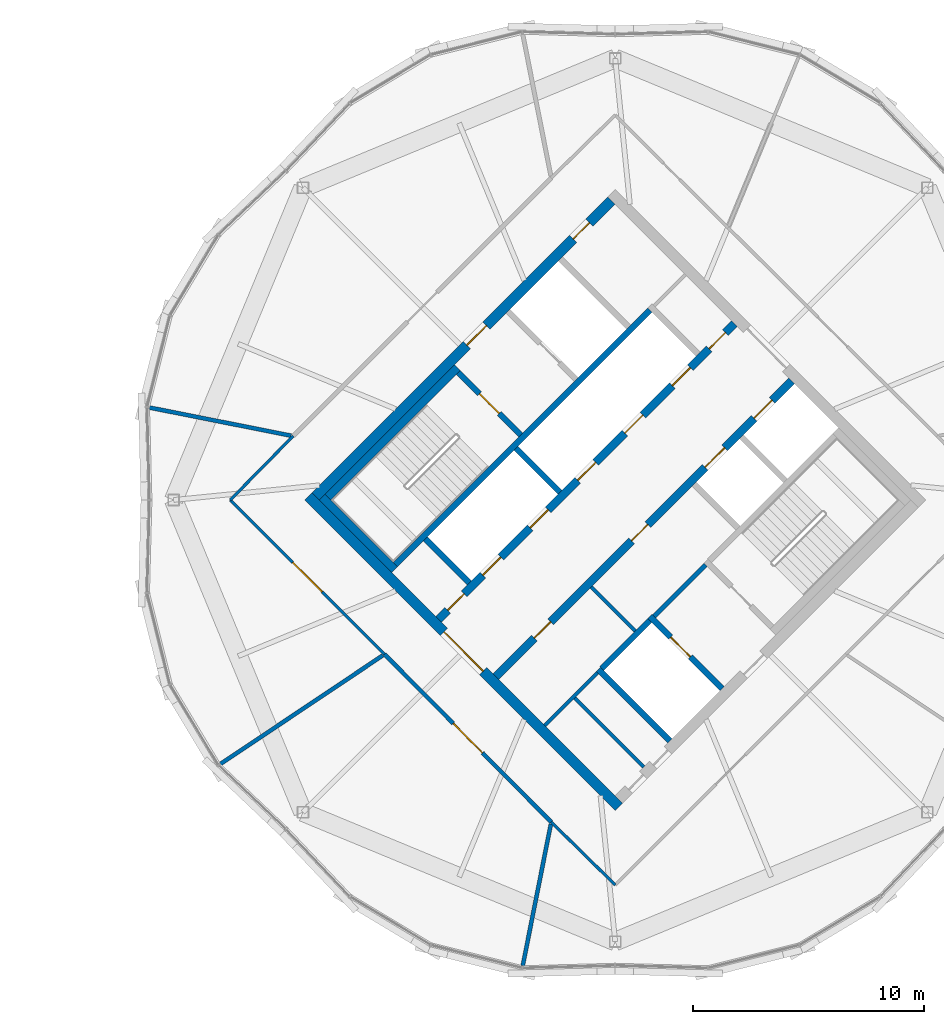
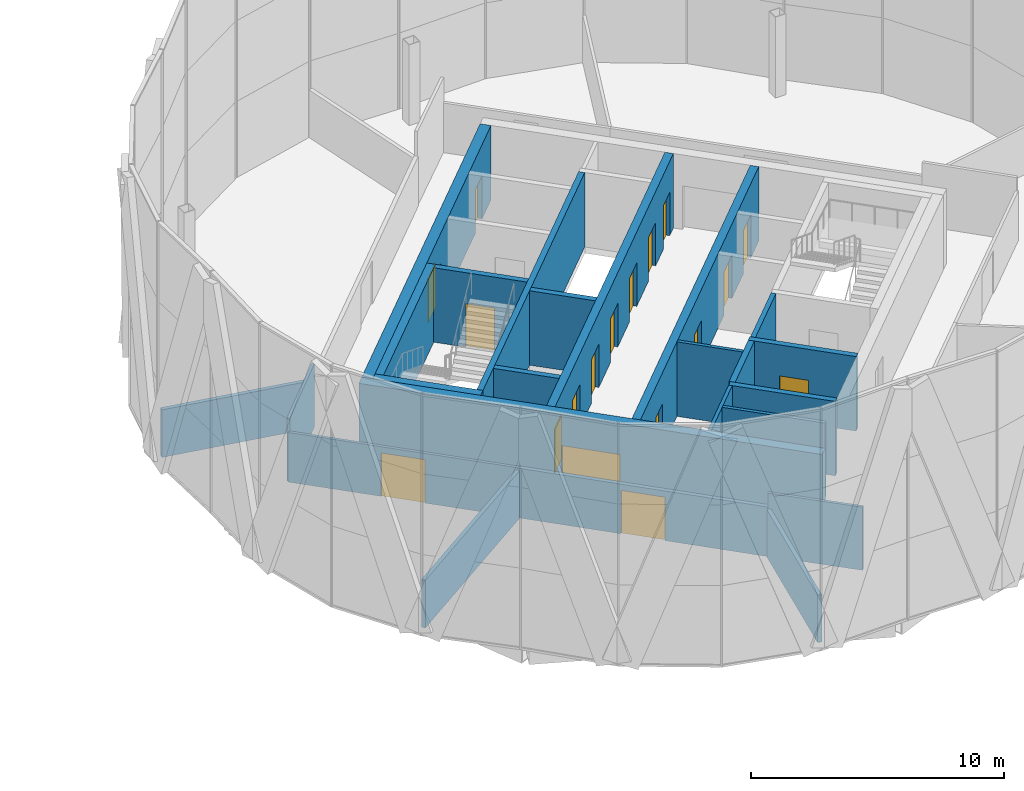
# One storey, part 18 of 22: 24 walls, 18 doors, 18 openings.
"""IFC4 building model written with IfcOpenShell, lengths in metres."""

from ifc_helpers import new_model, si_unit, direction, frame, frame_2d, origin, place, context, subcontext, project, spatial, rectangle, extrude, material, layer, layer_set, type_object, element, fill, save


model = new_model("IFC4")

# Units and contexts
model_context = context("Model", 3, precision=1e-05, world=origin(), true_north=direction((0.0, 1.0)))
body_context = subcontext(model_context, "Body", "Model", "MODEL_VIEW")
ifc_project = project(units=[si_unit("LENGTHUNIT", "METRE"), si_unit("AREAUNIT", "SQUARE_METRE"), si_unit("VOLUMEUNIT", "CUBIC_METRE"), si_unit("PLANEANGLEUNIT", "RADIAN"), si_unit("MASSUNIT", "GRAM", prefix="KILO")], contexts=[model_context])

# Site, building, storey
site_placement = place(None, origin())
site = spatial("IfcSite", under=ifc_project, at=site_placement, CompositionType="ELEMENT")
building_placement = place(site_placement, origin())
building = spatial("IfcBuilding", under=site, at=building_placement, Name="Ogive Gate Towers", CompositionType="ELEMENT")
storey_placement = place(building_placement, frame((0.0, 0.0, 228.89990234375)))
storey = spatial("IfcBuildingStorey", under=building, at=storey_placement, Name="L54", CompositionType="ELEMENT", Elevation=228.89990234375)

# Walls
ifc_material_1 = material(Name="Gypsum board acoustic partition")
ifc_layer_1 = layer(ifc_material_1, 0.175048828125)
ifc_layer_set_1 = layer_set([ifc_layer_1], Name="Acoustic partition 175")
wall_type_1 = type_object("IfcWallType", Name="Acoustic partition 175", PredefinedType="PARTITIONING", material=ifc_layer_set_1)
wall_1_placement = place(storey_placement, frame((15.843505859375, 4.00048828125, 0.0), z_axis=(0.0, 0.0, 1.0), x_axis=(0.98086799922, -0.194674004702, 0.0)))
element("IfcWall", 1, at=wall_1_placement, inside=storey, type_object=wall_type_1, Name="Partition T2-L54-004", PredefinedType="PARTITIONING", context=body_context, shape_type="SweptSolid", body=[
    extrude(rectangle(XDim=6.251708984375, YDim=0.175048828125, at=frame_2d((3.1259765625, 0.0))), origin(), (0.0, 0.0, 1.0), 2.300048828125),
])
wall_2_placement = place(storey_placement, frame((18.918701171875, -11.424072265625, 0.0), z_axis=(0.0, 0.0, 1.0), x_axis=(0.831218279954, 0.555946194402, 0.0)))
element("IfcWall", 2, at=wall_2_placement, inside=storey, type_object=wall_type_1, Name="Partition T2-L54-005", PredefinedType="PARTITIONING", context=body_context, shape_type="SweptSolid", body=[
    extrude(rectangle(XDim=8.451416015625, YDim=0.175048828125, at=frame_2d((4.2255859375, 0.0))), origin(), (0.0, 0.0, 1.0), 2.300048828125),
])
wall_3_placement = place(storey_placement, frame((31.99951171875, -20.156494140625, 0.0), z_axis=(0.0, 0.0, 1.0), x_axis=(0.194674004702, 0.98086799922, 0.0)))
element("IfcWall", 3, at=wall_3_placement, inside=storey, type_object=wall_type_1, Name="Partition T2-L54-006", PredefinedType="PARTITIONING", context=body_context, shape_type="SweptSolid", body=[
    extrude(rectangle(XDim=6.251708984375, YDim=0.175048828125, at=frame_2d((3.1259765625, 0.0))), origin(), (0.0, 0.0, 1.0), 2.300048828125),
])

# Wall, opening, door
wall_4_placement = place(storey_placement, frame((26.0166015625, -6.677001953125, 0.0), z_axis=(0.0, 0.0, 1.0), x_axis=(0.704921475194, -0.70928535429, 0.0)))
wall_4 = element("IfcWall", 4, at=wall_4_placement, inside=storey, type_object=wall_type_1, Name="Partition T2-L54-010", PredefinedType="PARTITIONING", context=body_context, shape_type="SweptSolid", body=[
    extrude(rectangle(XDim=10.238037109375, YDim=0.175048828125, at=frame_2d((5.119140625, 0.0))), origin(), (0.0, 0.0, 1.0), 2.400146484375),
])
opening_1_placement = place(wall_4_placement, frame((4.218994140625, 0.0, 0.0)))
opening_1 = element("IfcOpeningElement", 5, at=opening_1_placement, cuts=wall_4, Name="Opening T2-L54-D02", PredefinedType="OPENING", context=body_context, shape_type="SweptSolid", body=[
    extrude(rectangle(XDim=1.800048828125, YDim=2.10009765625, at=frame_2d((0.89990234375, 1.050048828125))), frame((0.0, 0.09765625, 0.0), z_axis=(0.0, -1.0, 0.0), x_axis=(1.0, 0.0, 0.0)), (0.0, 0.0, 1.0), 0.195068359375),
])
ifc_material_2 = material(Name="Timber door", Category="wood")
door_type_1 = type_object("IfcDoorType", Name="Door pair 1800", OperationType="NOTDEFINED", PredefinedType="DOOR", material=ifc_material_2)
door_1_placement = place(opening_1_placement, origin())
door_1 = element("IfcDoor", 6, at=door_1_placement, inside=storey, type_object=door_type_1, Name="Door T2-L54-D02", OperationType="DOUBLE_DOOR_DOUBLE_SWING", OverallHeight=2.10009765625, OverallWidth=1.800048828125, PredefinedType="DOOR", context=body_context, shape_type="SweptSolid", body=[
    extrude(rectangle(XDim=1.800048828125, YDim=2.10009765625, at=frame_2d((0.89990234375, 1.050048828125))), frame((0.0, 0.02490234375, 0.0), z_axis=(0.0, -1.0, 0.0), x_axis=(1.0, 0.0, 0.0)), (0.0, 0.0, 1.0), 0.050048828125),
])
fill(opening_1, door_1)

# Wall
ifc_material_3 = material(Name="Masonry blockwork", Category="masonry")
ifc_layer_2 = layer(ifc_material_3, 0.199951171875)
ifc_layer_set_2 = layer_set([ifc_layer_2], Name="Blockwork wall 200 mm")
wall_type_2 = type_object("IfcWallType", Name="Blockwork wall 200 mm", PredefinedType="PARTITIONING", material=ifc_layer_set_2)
wall_5_placement = place(storey_placement, frame((37.679443359375, -5.0380859375, 0.0), z_axis=(0.0, 0.0, 1.0), x_axis=(0.707106781187, 0.707106781187, 0.0)))
element("IfcWall", 7, at=wall_5_placement, inside=storey, type_object=wall_type_2, Name="T2 L54 Blockwork wall 200 mm", PredefinedType="PARTITIONING", context=body_context, shape_type="SweptSolid", body=[
    extrude(rectangle(XDim=3.14990234375, YDim=0.199951171875, at=frame_2d((1.574951171875, 0.0))), origin(), (0.0, 0.0, 1.0), 3.60009765625),
])

# Wall, openings, doors
ifc_material_4 = material(Name="Concrete C60/75", Category="concrete")
ifc_layer_3 = layer(ifc_material_4, 0.449951171875)
ifc_layer_set_3 = layer_set([ifc_layer_3], Name="Core wall 450 mm")
wall_type_3 = type_object("IfcWallType", Name="Core wall 450 mm", PredefinedType="SHEAR", material=ifc_layer_set_3)
wall_6_placement = place(storey_placement, frame((23.042236328125, 0.1591796875, 0.0), z_axis=(0.0, 0.0, 1.0), x_axis=(0.707106781187, 0.707106781187, 0.0)))
wall_6 = element("IfcWall", 8, at=wall_6_placement, inside=storey, type_object=wall_type_3, Name="T2 L54 Core wall 450 mm", PredefinedType="SHEAR", context=body_context, shape_type="SweptSolid", body=[
    extrude(rectangle(XDim=18.099853515625, YDim=0.449951171875, at=frame_2d((9.0498046875, 0.0))), origin(), (0.0, 0.0, 1.0), 3.60009765625),
])
opening_2_placement = place(wall_6_placement, frame((9.25, 0.0, 0.0)))
opening_2 = element("IfcOpeningElement", 9, at=opening_2_placement, cuts=wall_6, Name="Opening KD-T2-L54-18", PredefinedType="OPENING", context=body_context, shape_type="SweptSolid", body=[
    extrude(rectangle(XDim=1.199951171875, YDim=2.10009765625, at=frame_2d((0.60009765625, 1.050048828125))), frame((0.0, 0.23486328125, 0.0), z_axis=(0.0, -1.0, 0.0), x_axis=(1.0, 0.0, 0.0)), (0.0, 0.0, 1.0), 0.469970703125),
])
opening_3_placement = place(wall_6_placement, frame((15.75, 0.0, 0.0)))
opening_3 = element("IfcOpeningElement", 10, at=opening_3_placement, cuts=wall_6, Name="Opening KD-T2-L54-20", PredefinedType="OPENING", context=body_context, shape_type="SweptSolid", body=[
    extrude(rectangle(XDim=1.0, YDim=2.10009765625, at=frame_2d((0.5, 1.050048828125))), frame((0.0, 0.23486328125, 0.0), z_axis=(0.0, -1.0, 0.0), x_axis=(1.0, 0.0, 0.0)), (0.0, 0.0, 1.0), 0.469970703125),
])
door_type_2 = type_object("IfcDoorType", Name="Accessible WC door 1000 x 2100", OperationType="NOTDEFINED", PredefinedType="DOOR", material=ifc_material_2)
door_2_placement = place(opening_3_placement, origin())
door_2 = element("IfcDoor", 11, at=door_2_placement, inside=storey, type_object=door_type_2, Name="T2 L54 Core door", OperationType="SINGLE_SWING_LEFT", OverallHeight=2.10009765625, OverallWidth=1.0, PredefinedType="DOOR", context=body_context, shape_type="SweptSolid", body=[
    extrude(rectangle(XDim=1.0, YDim=2.10009765625, at=frame_2d((0.5, 1.050048828125))), frame((0.0, 0.02490234375, 0.0), z_axis=(0.0, -1.0, 0.0), x_axis=(1.0, 0.0, 0.0)), (0.0, 0.0, 1.0), 0.050048828125),
])
fill(opening_3, door_2)
ifc_material_5 = material(Name="Steel fire door", Category="steel")
door_type_3 = type_object("IfcDoorType", Name="Core door FD60S 1200 x 2100", OperationType="NOTDEFINED", PredefinedType="DOOR", material=ifc_material_5)
door_3_placement = place(opening_2_placement, origin())
door_3 = element("IfcDoor", 12, at=door_3_placement, inside=storey, type_object=door_type_3, Name="T2 L54 Fire-fighting lobby door", OperationType="SINGLE_SWING_LEFT", OverallHeight=2.10009765625, OverallWidth=1.199951171875, PredefinedType="DOOR", context=body_context, shape_type="SweptSolid", body=[
    extrude(rectangle(XDim=1.199951171875, YDim=2.10009765625, at=frame_2d((0.60009765625, 1.050048828125))), frame((0.0, 0.02490234375, 0.0), z_axis=(0.0, -1.0, 0.0), x_axis=(1.0, 0.0, 0.0)), (0.0, 0.0, 1.0), 0.050048828125),
])
fill(opening_2, door_3)

# Wall, opening, door
wall_7_placement = place(storey_placement, frame((36.1591796875, -13.27587890625, 0.0), z_axis=(0.0, 0.0, 1.0), x_axis=(-0.707106781187, 0.707106781187, 0.0)))
wall_7 = element("IfcWall", 13, at=wall_7_placement, inside=storey, type_object=wall_type_3, Name="T2 L54 Core wall 450 mm", PredefinedType="SHEAR", context=body_context, shape_type="SweptSolid", body=[
    extrude(rectangle(XDim=19.0, YDim=0.449951171875, at=frame_2d((9.5, 0.0))), origin(), (0.0, 0.0, 1.0), 3.60009765625),
])
opening_4_placement = place(wall_7_placement, frame((8.300048828125, 0.0, 0.0)))
opening_4 = element("IfcOpeningElement", 14, at=opening_4_placement, cuts=wall_7, Name="Opening KD-T2-L54-01", PredefinedType="OPENING", context=body_context, shape_type="SweptSolid", body=[
    extrude(rectangle(XDim=2.39990234375, YDim=2.10009765625, at=frame_2d((1.199951171875, 1.050048828125))), frame((0.0, 0.23486328125, 0.0), z_axis=(0.0, -1.0, 0.0), x_axis=(1.0, 0.0, 0.0)), (0.0, 0.0, 1.0), 0.469970703125),
])
door_type_4 = type_object("IfcDoorType", Name="Core double door FD60S 2400 x 2100", OperationType="DOUBLE_DOOR_SINGLE_SWING", PredefinedType="DOOR", material=ifc_material_5)
door_4_placement = place(opening_4_placement, origin())
door_4 = element("IfcDoor", 15, at=door_4_placement, inside=storey, type_object=door_type_4, Name="T2 L54 Core door double", OperationType="DOUBLE_DOOR_SINGLE_SWING", OverallHeight=2.10009765625, OverallWidth=2.39990234375, PredefinedType="DOOR", context=body_context, shape_type="SweptSolid", body=[
    extrude(rectangle(XDim=2.39990234375, YDim=2.10009765625, at=frame_2d((1.199951171875, 1.050048828125))), frame((0.0, 0.02490234375, 0.0), z_axis=(0.0, -1.0, 0.0), x_axis=(1.0, 0.0, 0.0)), (0.0, 0.0, 1.0), 0.050048828125),
])
fill(opening_4, door_4)

ifc_material_6 = material(Name="Gypsum board partition")
ifc_layer_4 = layer(ifc_material_6, 0.125)
ifc_layer_set_4 = layer_set([ifc_layer_4], Name="Partition 125")
wall_type_4 = type_object("IfcWallType", Name="Partition 125", PredefinedType="PARTITIONING", material=ifc_layer_set_4)
wall_8_placement = place(storey_placement, frame((19.340576171875, 0.0, 0.0), z_axis=(0.0, 0.0, 1.0), x_axis=(0.707055065632, -0.707158492959, 0.0)))
wall_8 = element("IfcWall", 16, at=wall_8_placement, inside=storey, type_object=wall_type_4, Name="Partition T2-L54-008", PredefinedType="PARTITIONING", context=body_context, shape_type="SweptSolid", body=[
    extrude(rectangle(XDim=9.44189453125, YDim=0.125, at=frame_2d((4.720947265625, 0.0))), origin(), (0.0, 0.0, 1.0), 2.400146484375),
])
opening_5_placement = place(wall_8_placement, frame((3.821044921875, 0.0, 0.0)))
opening_5 = element("IfcOpeningElement", 17, at=opening_5_placement, cuts=wall_8, Name="Opening T2-L54-D01", PredefinedType="OPENING", context=body_context, shape_type="SweptSolid", body=[
    extrude(rectangle(XDim=1.800048828125, YDim=2.10009765625, at=frame_2d((0.89990234375, 1.050048828125))), frame((0.0, 0.072509765625, 0.0), z_axis=(0.0, -1.0, 0.0), x_axis=(1.0, 0.0, 0.0)), (0.0, 0.0, 1.0), 0.14501953125),
])
door_5_placement = place(opening_5_placement, origin())
door_5 = element("IfcDoor", 18, at=door_5_placement, inside=storey, type_object=door_type_1, Name="Door T2-L54-D01", OperationType="DOUBLE_DOOR_DOUBLE_SWING", OverallHeight=2.10009765625, OverallWidth=1.800048828125, PredefinedType="DOOR", context=body_context, shape_type="SweptSolid", body=[
    extrude(rectangle(XDim=1.800048828125, YDim=2.10009765625, at=frame_2d((0.89990234375, 1.050048828125))), frame((0.0, 0.02490234375, 0.0), z_axis=(0.0, -1.0, 0.0), x_axis=(1.0, 0.0, 0.0)), (0.0, 0.0, 1.0), 0.050048828125),
])
fill(opening_5, door_5)

# Walls
for number, where, z_axis, x_axis, name in (
    (19, (22.061279296875, 2.766357421875, 0.0), (0.0, 0.0, 1.0), (-0.701199130072, -0.712965483026, 0.0), "Partition T2-L54-009"),
    (20, (33.233642578125, -13.938720703125, 0.0), (0.0, 0.0, 1.0), (0.712965483026, -0.701199130072, 0.0), "Partition T2-L54-012"),
):
    element("IfcWall", number, at=place(storey_placement, frame(where, z_axis=z_axis, x_axis=x_axis)), inside=storey, type_object=wall_type_4, Name=name, PredefinedType="PARTITIONING", context=body_context, shape_type="SweptSolid", body=[
        extrude(rectangle(XDim=3.880126953125, YDim=0.125, at=frame_2d((1.93994140625, 0.0))), origin(), (0.0, 0.0, 1.0), 3.050048828125),
    ])
ifc_layer_5 = layer(ifc_material_6, 0.14990234375)
ifc_layer_set_5 = layer_set([ifc_layer_5], Name="Room partition 150 mm")
wall_type_5 = type_object("IfcWallType", Name="Room partition 150 mm", PredefinedType="PARTITIONING", material=ifc_layer_set_5)
wall_9_placement = place(storey_placement, frame((32.95947265625, -9.758056640625, 0.0), z_axis=(0.0, 0.0, 1.0), x_axis=(0.707144631829, 0.707068928518, 0.0)))
element("IfcWall", 21, at=wall_9_placement, inside=storey, type_object=wall_type_5, Name="T2 L54 Room partition 150 mm", PredefinedType="PARTITIONING", context=body_context, shape_type="SweptSolid", body=[
    extrude(rectangle(XDim=3.224853515625, YDim=0.14990234375, at=frame_2d((1.6123046875, 0.0))), origin(), (0.0, 0.0, 1.0), 3.60009765625),
])
wall_10_placement = place(storey_placement, frame((37.2373046875, -11.561279296875, 0.0), z_axis=(0.0, 0.0, 1.0), x_axis=(-0.707077887253, 0.707135673939, 0.0)))
element("IfcWall", 22, at=wall_10_placement, inside=storey, type_object=wall_type_5, Name="T2 L54 Room partition 150 mm", PredefinedType="PARTITIONING", context=body_context, shape_type="SweptSolid", body=[
    extrude(rectangle(XDim=4.224853515625, YDim=0.14990234375, at=frame_2d((2.1123046875, 0.0))), origin(), (0.0, 0.0, 1.0), 3.60009765625),
])
wall_11_placement = place(storey_placement, frame((36.8662109375, -5.674560546875, 0.0), z_axis=(0.0, 0.0, 1.0), x_axis=(-0.707106781187, 0.707106781187, 0.0)))
element("IfcWall", 23, at=wall_11_placement, inside=storey, type_object=wall_type_5, Name="T2 L54 Room partition 150 mm", PredefinedType="PARTITIONING", context=body_context, shape_type="SweptSolid", body=[
    extrude(rectangle(XDim=2.699951171875, YDim=0.14990234375, at=frame_2d((1.35009765625, 0.0))), origin(), (0.0, 0.0, 1.0), 3.60009765625),
])
ifc_layer_6 = layer(ifc_material_4, 0.25)
ifc_layer_set_6 = layer_set([ifc_layer_6], Name="Shaft wall 250 mm")
wall_type_6 = type_object("IfcWallType", Name="Shaft wall 250 mm", PredefinedType="SHEAR", material=ifc_layer_set_6)
wall_12_placement = place(storey_placement, frame((35.41650390625, -7.30078125, 0.0), z_axis=(0.0, 0.0, 1.0), x_axis=(0.707148157867, 0.707065402085, 0.0)))
element("IfcWall", 24, at=wall_12_placement, inside=storey, type_object=wall_type_6, Name="T2 L54 Shaft wall 250 mm", PredefinedType="SHEAR", context=body_context, shape_type="SweptSolid", body=[
    extrude(rectangle(XDim=2.9501953125, YDim=0.25, at=frame_2d((1.47509765625, 0.0))), origin(), (0.0, 0.0, 1.0), 3.60009765625),
])
wall_13_placement = place(storey_placement, frame((26.489501953125, -2.793212890625, 0.0), z_axis=(0.0, 0.0, 1.0), x_axis=(0.707098943647, 0.70711461864, 0.0)))
element("IfcWall", 25, at=wall_13_placement, inside=storey, type_object=wall_type_6, Name="T2 L54 Shaft wall 250 mm", PredefinedType="SHEAR", context=body_context, shape_type="SweptSolid", body=[
    extrude(rectangle(XDim=15.5751953125, YDim=0.25, at=frame_2d((7.78759765625, 0.0))), origin(), (0.0, 0.0, 1.0), 3.60009765625),
])
wall_14_placement = place(storey_placement, frame((29.689208984375, -3.588623046875, 0.0), z_axis=(0.0, 0.0, 1.0), x_axis=(-0.707151988282, 0.707061571201, 0.0)))
element("IfcWall", 26, at=wall_14_placement, inside=storey, type_object=wall_type_6, Name="T2 L54 Shaft wall 250 mm", PredefinedType="SHEAR", context=body_context, shape_type="SweptSolid", body=[
    extrude(rectangle(XDim=2.7001953125, YDim=0.25, at=frame_2d((1.35009765625, 0.0))), origin(), (0.0, 0.0, 1.0), 3.60009765625),
])
wall_15_placement = place(storey_placement, frame((38.368896484375, -10.4296875, 0.0), z_axis=(0.0, 0.0, 1.0), x_axis=(-0.707134682099, 0.707078879173, 0.0)))
element("IfcWall", 27, at=wall_15_placement, inside=storey, type_object=wall_type_6, Name="T2 L54 Shaft wall 250 mm", PredefinedType="SHEAR", context=body_context, shape_type="SweptSolid", body=[
    extrude(rectangle(XDim=4.375, YDim=0.25, at=frame_2d((2.1875, 0.0))), origin(), (0.0, 0.0, 1.0), 3.60009765625),
])

# Wall, opening, door
wall_16_placement = place(storey_placement, frame((40.631591796875, -8.1669921875, 0.0), z_axis=(0.0, 0.0, 1.0), x_axis=(-0.707106781187, 0.707106781187, 0.0)))
wall_16 = element("IfcWall", 28, at=wall_16_placement, inside=storey, type_object=wall_type_6, Name="T2 L54 Shaft wall 250 mm", PredefinedType="SHEAR", context=body_context, shape_type="SweptSolid", body=[
    extrude(rectangle(XDim=4.425048828125, YDim=0.25, at=frame_2d((2.21240234375, 0.0))), origin(), (0.0, 0.0, 1.0), 3.60009765625),
])
opening_6_placement = place(wall_16_placement, frame((1.949951171875, 0.0, 0.0)))
opening_6 = element("IfcOpeningElement", 29, at=opening_6_placement, cuts=wall_16, Name="Opening LD-T2-L54-13", PredefinedType="OPENING", context=body_context, shape_type="SweptSolid", body=[
    extrude(rectangle(XDim=1.199951171875, YDim=2.10009765625, at=frame_2d((0.60009765625, 1.050048828125))), frame((0.0, 0.135009765625, 0.0), z_axis=(0.0, -1.0, 0.0), x_axis=(1.0, 0.0, 0.0)), (0.0, 0.0, 1.0), 0.27001953125),
])
ifc_material_7 = material(Name="Stainless steel landing door", Category="steel")
door_type_5 = type_object("IfcDoorType", Name="Landing door 1200 x 2100", OperationType="SLIDING_TO_LEFT", PredefinedType="DOOR", material=ifc_material_7)
door_6_placement = place(opening_6_placement, origin())
door_6 = element("IfcDoor", 30, at=door_6_placement, inside=storey, type_object=door_type_5, Name="T2 L54 Lift landing door FF2", OperationType="SLIDING_TO_LEFT", OverallHeight=2.10009765625, OverallWidth=1.199951171875, PredefinedType="DOOR", context=body_context, shape_type="SweptSolid", body=[
    extrude(rectangle(XDim=1.199951171875, YDim=2.10009765625, at=frame_2d((0.60009765625, 1.050048828125))), frame((0.0, 0.02490234375, 0.0), z_axis=(0.0, -1.0, 0.0), x_axis=(1.0, 0.0, 0.0)), (0.0, 0.0, 1.0), 0.050048828125),
])
fill(opening_6, door_6)

# Wall
wall_17_placement = place(storey_placement, frame((33.613525390625, 0.3359375, 0.0), z_axis=(0.0, 0.0, 1.0), x_axis=(-0.707106781187, 0.707106781187, 0.0)))
element("IfcWall", 31, at=wall_17_placement, inside=storey, type_object=wall_type_6, Name="T2 L54 Shaft wall 250 mm", PredefinedType="SHEAR", context=body_context, shape_type="SweptSolid", body=[
    extrude(rectangle(XDim=2.699951171875, YDim=0.25, at=frame_2d((1.35009765625, 0.0))), origin(), (0.0, 0.0, 1.0), 3.60009765625),
])

# Wall, opening, door
wall_18_placement = place(storey_placement, frame((31.91650390625, 2.810791015625, 0.0), z_axis=(0.0, 0.0, 1.0), x_axis=(-0.707106781187, 0.707106781187, 0.0)))
wall_18 = element("IfcWall", 32, at=wall_18_placement, inside=storey, type_object=wall_type_6, Name="T2 L54 Shaft wall 250 mm", PredefinedType="SHEAR", context=body_context, shape_type="SweptSolid", body=[
    extrude(rectangle(XDim=3.824951171875, YDim=0.25, at=frame_2d((1.91259765625, 0.0))), origin(), (0.0, 0.0, 1.0), 3.60009765625),
])
opening_7_placement = place(wall_18_placement, frame((1.324951171875, 0.0, 0.0)))
opening_7 = element("IfcOpeningElement", 33, at=opening_7_placement, cuts=wall_18, Name="Opening KD-T2-L54-16", PredefinedType="OPENING", context=body_context, shape_type="SweptSolid", body=[
    extrude(rectangle(XDim=1.199951171875, YDim=2.10009765625, at=frame_2d((0.60009765625, 1.050048828125))), frame((0.0, 0.135009765625, 0.0), z_axis=(0.0, -1.0, 0.0), x_axis=(1.0, 0.0, 0.0)), (0.0, 0.0, 1.0), 0.27001953125),
])
door_7_placement = place(opening_7_placement, origin())
door_7 = element("IfcDoor", 34, at=door_7_placement, inside=storey, type_object=door_type_3, Name="T2 L54 Stair door", OperationType="SINGLE_SWING_LEFT", OverallHeight=2.10009765625, OverallWidth=1.199951171875, PredefinedType="DOOR", context=body_context, shape_type="SweptSolid", body=[
    extrude(rectangle(XDim=1.199951171875, YDim=2.10009765625, at=frame_2d((0.60009765625, 1.050048828125))), frame((0.0, 0.02490234375, 0.0), z_axis=(0.0, -1.0, 0.0), x_axis=(1.0, 0.0, 0.0)), (0.0, 0.0, 1.0), 0.050048828125),
])
fill(opening_7, door_7)

# Wall, openings, doors
ifc_layer_7 = layer(ifc_material_4, 0.35009765625)
ifc_layer_set_7 = layer_set([ifc_layer_7], Name="Spine wall 350 mm")
wall_type_7 = type_object("IfcWallType", Name="Spine wall 350 mm", PredefinedType="SHEAR", material=ifc_layer_set_7)
wall_19_placement = place(storey_placement, frame((30.838134765625, -7.63671875, 0.0), z_axis=(0.0, 0.0, 1.0), x_axis=(0.707106781187, 0.707106781187, 0.0)))
wall_19 = element("IfcWall", 35, at=wall_19_placement, inside=storey, type_object=wall_type_7, Name="T2 L54 Spine wall 350 mm", PredefinedType="SHEAR", context=body_context, shape_type="SweptSolid", body=[
    extrude(rectangle(XDim=18.099853515625, YDim=0.35009765625, at=frame_2d((9.0498046875, 0.0))), origin(), (0.0, 0.0, 1.0), 3.60009765625),
])
opening_8_placement = place(wall_19_placement, frame((12.800048828125, 0.0, 0.0)))
opening_8 = element("IfcOpeningElement", 36, at=opening_8_placement, cuts=wall_19, Name="Opening LD-T2-L54-10", PredefinedType="OPENING", context=body_context, shape_type="SweptSolid", body=[
    extrude(rectangle(XDim=1.199951171875, YDim=2.10009765625, at=frame_2d((0.60009765625, 1.050048828125))), frame((0.0, 0.18505859375, 0.0), z_axis=(0.0, -1.0, 0.0), x_axis=(1.0, 0.0, 0.0)), (0.0, 0.0, 1.0), 0.3701171875),
])
opening_9_placement = place(wall_19_placement, frame((15.800048828125, 0.0, 0.0)))
opening_9 = element("IfcOpeningElement", 37, at=opening_9_placement, cuts=wall_19, Name="Opening LD-T2-L54-11", PredefinedType="OPENING", context=body_context, shape_type="SweptSolid", body=[
    extrude(rectangle(XDim=1.10009765625, YDim=2.10009765625, at=frame_2d((0.550048828125, 1.050048828125))), frame((0.0, 0.18505859375, 0.0), z_axis=(0.0, -1.0, 0.0), x_axis=(1.0, 0.0, 0.0)), (0.0, 0.0, 1.0), 0.3701171875),
])
opening_10_placement = place(wall_19_placement, frame((2.35009765625, 0.0, 0.0)))
opening_10 = element("IfcOpeningElement", 38, at=opening_10_placement, cuts=wall_19, Name="Opening KD-T2-L54-14", PredefinedType="OPENING", context=body_context, shape_type="SweptSolid", body=[
    extrude(rectangle(XDim=1.0, YDim=2.10009765625, at=frame_2d((0.5, 1.050048828125))), frame((0.0, 0.18505859375, 0.0), z_axis=(0.0, -1.0, 0.0), x_axis=(1.0, 0.0, 0.0)), (0.0, 0.0, 1.0), 0.3701171875),
])
opening_11_placement = place(wall_19_placement, frame((8.300048828125, 0.0, 0.0)))
opening_11 = element("IfcOpeningElement", 39, at=opening_11_placement, cuts=wall_19, Name="Opening KD-T2-L54-15", PredefinedType="OPENING", context=body_context, shape_type="SweptSolid", body=[
    extrude(rectangle(XDim=1.0, YDim=2.10009765625, at=frame_2d((0.5, 1.050048828125))), frame((0.0, 0.18505859375, 0.0), z_axis=(0.0, -1.0, 0.0), x_axis=(1.0, 0.0, 0.0)), (0.0, 0.0, 1.0), 0.3701171875),
])
door_type_6 = type_object("IfcDoorType", Name="Core door FD60S 1000 x 2100", OperationType="NOTDEFINED", PredefinedType="DOOR", material=ifc_material_5)
door_8_placement = place(opening_10_placement, origin())
door_8 = element("IfcDoor", 40, at=door_8_placement, inside=storey, type_object=door_type_6, Name="T2 L54 Core door", OperationType="SINGLE_SWING_LEFT", OverallHeight=2.10009765625, OverallWidth=1.0, PredefinedType="DOOR", context=body_context, shape_type="SweptSolid", body=[
    extrude(rectangle(XDim=1.0, YDim=2.10009765625, at=frame_2d((0.5, 1.050048828125))), frame((0.0, 0.02490234375, 0.0), z_axis=(0.0, -1.0, 0.0), x_axis=(1.0, 0.0, 0.0)), (0.0, 0.0, 1.0), 0.050048828125),
])
fill(opening_10, door_8)
door_9_placement = place(opening_11_placement, origin())
door_9 = element("IfcDoor", 41, at=door_9_placement, inside=storey, type_object=door_type_6, Name="T2 L54 Core door", OperationType="SINGLE_SWING_RIGHT", OverallHeight=2.10009765625, OverallWidth=1.0, PredefinedType="DOOR", context=body_context, shape_type="SweptSolid", body=[
    extrude(rectangle(XDim=1.0, YDim=2.10009765625, at=frame_2d((0.5, 1.050048828125))), frame((0.0, 0.02490234375, 0.0), z_axis=(0.0, -1.0, 0.0), x_axis=(1.0, 0.0, 0.0)), (0.0, 0.0, 1.0), 0.050048828125),
])
fill(opening_11, door_9)
door_type_7 = type_object("IfcDoorType", Name="Landing door 1100 x 2100", OperationType="SLIDING_TO_LEFT", PredefinedType="DOOR", material=ifc_material_7)
door_10_placement = place(opening_9_placement, origin())
door_10 = element("IfcDoor", 42, at=door_10_placement, inside=storey, type_object=door_type_7, Name="T2 L54 Lift landing door B6", OperationType="SLIDING_TO_LEFT", OverallHeight=2.10009765625, OverallWidth=1.10009765625, PredefinedType="DOOR", context=body_context, shape_type="SweptSolid", body=[
    extrude(rectangle(XDim=1.10009765625, YDim=2.10009765625, at=frame_2d((0.550048828125, 1.050048828125))), frame((0.0, 0.02490234375, 0.0), z_axis=(0.0, -1.0, 0.0), x_axis=(1.0, 0.0, 0.0)), (0.0, 0.0, 1.0), 0.050048828125),
])
fill(opening_9, door_10)
door_11_placement = place(opening_8_placement, origin())
door_11 = element("IfcDoor", 43, at=door_11_placement, inside=storey, type_object=door_type_5, Name="T2 L54 Lift landing door SVC", OperationType="SLIDING_TO_LEFT", OverallHeight=2.10009765625, OverallWidth=1.199951171875, PredefinedType="DOOR", context=body_context, shape_type="SweptSolid", body=[
    extrude(rectangle(XDim=1.199951171875, YDim=2.10009765625, at=frame_2d((0.60009765625, 1.050048828125))), frame((0.0, 0.02490234375, 0.0), z_axis=(0.0, -1.0, 0.0), x_axis=(1.0, 0.0, 0.0)), (0.0, 0.0, 1.0), 0.050048828125),
])
fill(opening_8, door_11)

wall_20_placement = place(storey_placement, frame((28.36328125, -5.161865234375, 0.0), z_axis=(0.0, 0.0, 1.0), x_axis=(0.707106781187, 0.707106781187, 0.0)))
wall_20 = element("IfcWall", 44, at=wall_20_placement, inside=storey, type_object=wall_type_7, Name="T2 L54 Spine wall 350 mm", PredefinedType="SHEAR", context=body_context, shape_type="SweptSolid", body=[
    extrude(rectangle(XDim=18.099853515625, YDim=0.35009765625, at=frame_2d((9.0498046875, 0.0))), origin(), (0.0, 0.0, 1.0), 3.60009765625),
])
opening_12_placement = place(wall_20_placement, frame((0.550048828125, 0.0, 0.0)))
opening_12 = element("IfcOpeningElement", 45, at=opening_12_placement, cuts=wall_20, Name="Opening KD-T2-L54-03", PredefinedType="OPENING", context=body_context, shape_type="SweptSolid", body=[
    extrude(rectangle(XDim=1.0, YDim=2.10009765625, at=frame_2d((0.5, 1.050048828125))), frame((0.0, 0.18505859375, 0.0), z_axis=(0.0, -1.0, 0.0), x_axis=(1.0, 0.0, 0.0)), (0.0, 0.0, 1.0), 0.3701171875),
])
opening_13_placement = place(wall_20_placement, frame((2.699951171875, 0.0, 0.0)))
opening_13 = element("IfcOpeningElement", 46, at=opening_13_placement, cuts=wall_20, Name="Opening LD-T2-L54-04", PredefinedType="OPENING", context=body_context, shape_type="SweptSolid", body=[
    extrude(rectangle(XDim=1.10009765625, YDim=2.10009765625, at=frame_2d((0.550048828125, 1.050048828125))), frame((0.0, 0.18505859375, 0.0), z_axis=(0.0, -1.0, 0.0), x_axis=(1.0, 0.0, 0.0)), (0.0, 0.0, 1.0), 0.3701171875),
])
opening_14_placement = place(wall_20_placement, frame((5.60009765625, 0.0, 0.0)))
opening_14 = element("IfcOpeningElement", 47, at=opening_14_placement, cuts=wall_20, Name="Opening LD-T2-L54-05", PredefinedType="OPENING", context=body_context, shape_type="SweptSolid", body=[
    extrude(rectangle(XDim=1.10009765625, YDim=2.10009765625, at=frame_2d((0.550048828125, 1.050048828125))), frame((0.0, 0.18505859375, 0.0), z_axis=(0.0, -1.0, 0.0), x_axis=(1.0, 0.0, 0.0)), (0.0, 0.0, 1.0), 0.3701171875),
])
opening_15_placement = place(wall_20_placement, frame((8.5, 0.0, 0.0)))
opening_15 = element("IfcOpeningElement", 48, at=opening_15_placement, cuts=wall_20, Name="Opening LD-T2-L54-06", PredefinedType="OPENING", context=body_context, shape_type="SweptSolid", body=[
    extrude(rectangle(XDim=1.10009765625, YDim=2.10009765625, at=frame_2d((0.550048828125, 1.050048828125))), frame((0.0, 0.18505859375, 0.0), z_axis=(0.0, -1.0, 0.0), x_axis=(1.0, 0.0, 0.0)), (0.0, 0.0, 1.0), 0.3701171875),
])
opening_16_placement = place(wall_20_placement, frame((11.39990234375, 0.0, 0.0)))
opening_16 = element("IfcOpeningElement", 49, at=opening_16_placement, cuts=wall_20, Name="Opening LD-T2-L54-07", PredefinedType="OPENING", context=body_context, shape_type="SweptSolid", body=[
    extrude(rectangle(XDim=1.10009765625, YDim=2.10009765625, at=frame_2d((0.550048828125, 1.050048828125))), frame((0.0, 0.18505859375, 0.0), z_axis=(0.0, -1.0, 0.0), x_axis=(1.0, 0.0, 0.0)), (0.0, 0.0, 1.0), 0.3701171875),
])
opening_17_placement = place(wall_20_placement, frame((14.300048828125, 0.0, 0.0)))
opening_17 = element("IfcOpeningElement", 50, at=opening_17_placement, cuts=wall_20, Name="Opening LD-T2-L54-08", PredefinedType="OPENING", context=body_context, shape_type="SweptSolid", body=[
    extrude(rectangle(XDim=1.10009765625, YDim=2.10009765625, at=frame_2d((0.550048828125, 1.050048828125))), frame((0.0, 0.18505859375, 0.0), z_axis=(0.0, -1.0, 0.0), x_axis=(1.0, 0.0, 0.0)), (0.0, 0.0, 1.0), 0.3701171875),
])
opening_18_placement = place(wall_20_placement, frame((16.550048828125, 0.0, 0.0)))
opening_18 = element("IfcOpeningElement", 51, at=opening_18_placement, cuts=wall_20, Name="Opening KD-T2-L54-09", PredefinedType="OPENING", context=body_context, shape_type="SweptSolid", body=[
    extrude(rectangle(XDim=1.0, YDim=2.10009765625, at=frame_2d((0.5, 1.050048828125))), frame((0.0, 0.18505859375, 0.0), z_axis=(0.0, -1.0, 0.0), x_axis=(1.0, 0.0, 0.0)), (0.0, 0.0, 1.0), 0.3701171875),
])
door_12_placement = place(opening_12_placement, origin())
door_12 = element("IfcDoor", 52, at=door_12_placement, inside=storey, type_object=door_type_6, Name="T2 L54 Core door", OperationType="SINGLE_SWING_RIGHT", OverallHeight=2.10009765625, OverallWidth=1.0, PredefinedType="DOOR", context=body_context, shape_type="SweptSolid", body=[
    extrude(rectangle(XDim=1.0, YDim=2.10009765625, at=frame_2d((0.5, 1.050048828125))), frame((0.0, 0.02490234375, 0.0), z_axis=(0.0, -1.0, 0.0), x_axis=(1.0, 0.0, 0.0)), (0.0, 0.0, 1.0), 0.050048828125),
])
fill(opening_12, door_12)
door_13_placement = place(opening_18_placement, origin())
door_13 = element("IfcDoor", 53, at=door_13_placement, inside=storey, type_object=door_type_6, Name="T2 L54 Core door", OperationType="SINGLE_SWING_RIGHT", OverallHeight=2.10009765625, OverallWidth=1.0, PredefinedType="DOOR", context=body_context, shape_type="SweptSolid", body=[
    extrude(rectangle(XDim=1.0, YDim=2.10009765625, at=frame_2d((0.5, 1.050048828125))), frame((0.0, 0.02490234375, 0.0), z_axis=(0.0, -1.0, 0.0), x_axis=(1.0, 0.0, 0.0)), (0.0, 0.0, 1.0), 0.050048828125),
])
fill(opening_18, door_13)
door_14_placement = place(opening_13_placement, origin())
door_14 = element("IfcDoor", 54, at=door_14_placement, inside=storey, type_object=door_type_7, Name="T2 L54 Lift landing door B1", OperationType="SLIDING_TO_LEFT", OverallHeight=2.10009765625, OverallWidth=1.10009765625, PredefinedType="DOOR", context=body_context, shape_type="SweptSolid", body=[
    extrude(rectangle(XDim=1.10009765625, YDim=2.10009765625, at=frame_2d((0.550048828125, 1.050048828125))), frame((0.0, 0.02490234375, 0.0), z_axis=(0.0, -1.0, 0.0), x_axis=(1.0, 0.0, 0.0)), (0.0, 0.0, 1.0), 0.050048828125),
])
fill(opening_13, door_14)
door_15_placement = place(opening_14_placement, origin())
door_15 = element("IfcDoor", 55, at=door_15_placement, inside=storey, type_object=door_type_7, Name="T2 L54 Lift landing door B2", OperationType="SLIDING_TO_LEFT", OverallHeight=2.10009765625, OverallWidth=1.10009765625, PredefinedType="DOOR", context=body_context, shape_type="SweptSolid", body=[
    extrude(rectangle(XDim=1.10009765625, YDim=2.10009765625, at=frame_2d((0.550048828125, 1.050048828125))), frame((0.0, 0.02490234375, 0.0), z_axis=(0.0, -1.0, 0.0), x_axis=(1.0, 0.0, 0.0)), (0.0, 0.0, 1.0), 0.050048828125),
])
fill(opening_14, door_15)
door_16_placement = place(opening_15_placement, origin())
door_16 = element("IfcDoor", 56, at=door_16_placement, inside=storey, type_object=door_type_7, Name="T2 L54 Lift landing door B3", OperationType="SLIDING_TO_LEFT", OverallHeight=2.10009765625, OverallWidth=1.10009765625, PredefinedType="DOOR", context=body_context, shape_type="SweptSolid", body=[
    extrude(rectangle(XDim=1.10009765625, YDim=2.10009765625, at=frame_2d((0.550048828125, 1.050048828125))), frame((0.0, 0.02490234375, 0.0), z_axis=(0.0, -1.0, 0.0), x_axis=(1.0, 0.0, 0.0)), (0.0, 0.0, 1.0), 0.050048828125),
])
fill(opening_15, door_16)
door_17_placement = place(opening_16_placement, origin())
door_17 = element("IfcDoor", 57, at=door_17_placement, inside=storey, type_object=door_type_7, Name="T2 L54 Lift landing door B4", OperationType="SLIDING_TO_LEFT", OverallHeight=2.10009765625, OverallWidth=1.10009765625, PredefinedType="DOOR", context=body_context, shape_type="SweptSolid", body=[
    extrude(rectangle(XDim=1.10009765625, YDim=2.10009765625, at=frame_2d((0.550048828125, 1.050048828125))), frame((0.0, 0.02490234375, 0.0), z_axis=(0.0, -1.0, 0.0), x_axis=(1.0, 0.0, 0.0)), (0.0, 0.0, 1.0), 0.050048828125),
])
fill(opening_16, door_17)
door_18_placement = place(opening_17_placement, origin())
door_18 = element("IfcDoor", 58, at=door_18_placement, inside=storey, type_object=door_type_7, Name="T2 L54 Lift landing door B5", OperationType="SLIDING_TO_LEFT", OverallHeight=2.10009765625, OverallWidth=1.10009765625, PredefinedType="DOOR", context=body_context, shape_type="SweptSolid", body=[
    extrude(rectangle(XDim=1.10009765625, YDim=2.10009765625, at=frame_2d((0.550048828125, 1.050048828125))), frame((0.0, 0.02490234375, 0.0), z_axis=(0.0, -1.0, 0.0), x_axis=(1.0, 0.0, 0.0)), (0.0, 0.0, 1.0), 0.050048828125),
])
fill(opening_17, door_18)

# Walls
ifc_layer_8 = layer(ifc_material_4, 0.35009765625)
ifc_layer_set_8 = layer_set([ifc_layer_8], Name="Stair wall 350 mm")
wall_type_8 = type_object("IfcWallType", Name="Stair wall 350 mm", PredefinedType="SHEAR", material=ifc_layer_set_8)
wall_21_placement = place(storey_placement, frame((23.572509765625, 0.123779296875, 0.0), z_axis=(0.0, 0.0, 1.0), x_axis=(0.707122184046, 0.707091377991, 0.0)))
element("IfcWall", 59, at=wall_21_placement, inside=storey, type_object=wall_type_8, Name="T2 L54 Stair wall 350 mm", PredefinedType="SHEAR", context=body_context, shape_type="SweptSolid", body=[
    extrude(rectangle(XDim=7.925048828125, YDim=0.35009765625, at=frame_2d((3.96240234375, 0.0))), origin(), (0.0, 0.0, 1.0), 3.60009765625),
])
wall_22_placement = place(storey_placement, frame((26.4541015625, -3.005126953125, 0.0), z_axis=(0.0, 0.0, 1.0), x_axis=(-0.707106781187, 0.707106781187, 0.0)))
element("IfcWall", 60, at=wall_22_placement, inside=storey, type_object=wall_type_8, Name="T2 L54 Stair wall 350 mm", PredefinedType="SHEAR", context=body_context, shape_type="SweptSolid", body=[
    extrude(rectangle(XDim=4.425048828125, YDim=0.35009765625, at=frame_2d((2.21240234375, 0.0))), origin(), (0.0, 0.0, 1.0), 3.60009765625),
])

save(model, "model.ifc")
